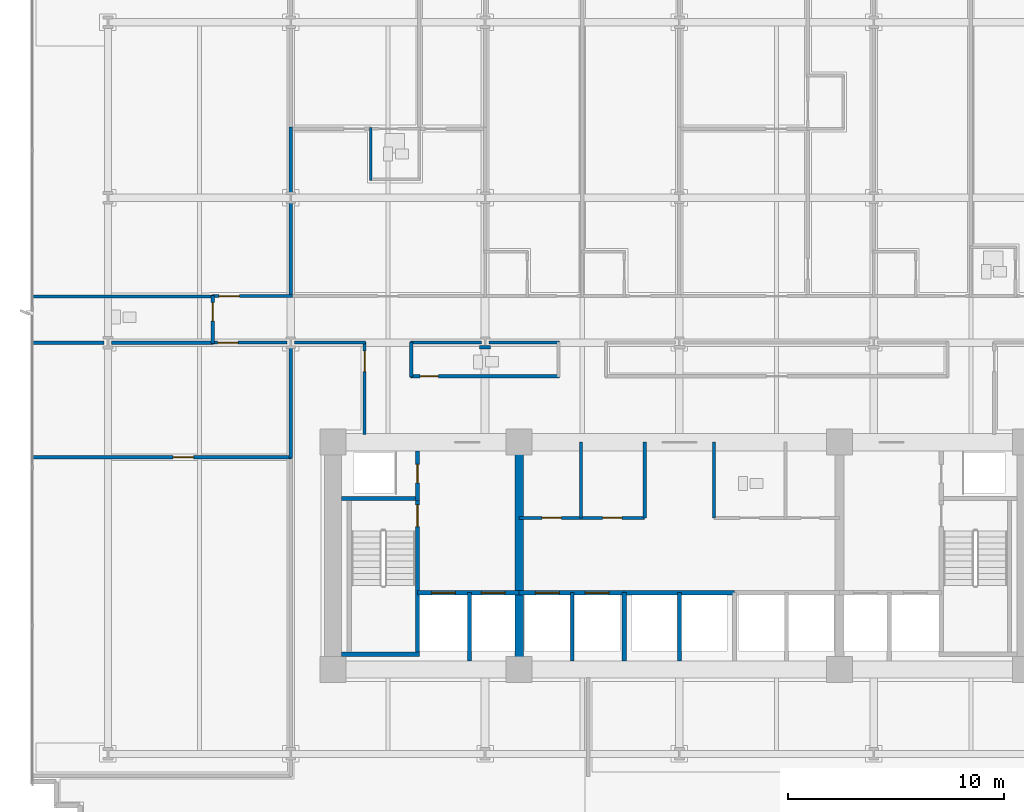
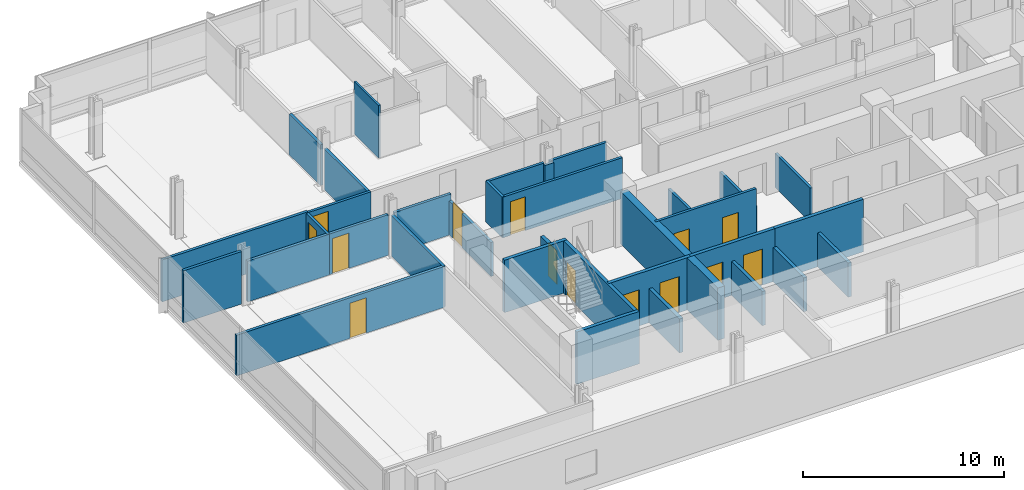
# One storey, part 8 of 15: 34 walls, 14 doors, 14 openings.
"""IFC4 building model written with IfcOpenShell, lengths in metres."""

from ifc_helpers import new_model, si_unit, direction, frame, frame_2d, origin, place, context, subcontext, project, spatial, rectangle, extrude, material, layer, layer_set, type_object, element, fill, save


model = new_model("IFC4")

# Units and contexts
model_context = context("Model", 3, precision=1e-05, world=origin(), true_north=direction((0.0, 1.0)))
body_context = subcontext(model_context, "Body", "Model", "MODEL_VIEW")
ifc_project = project(units=[si_unit("LENGTHUNIT", "METRE"), si_unit("AREAUNIT", "SQUARE_METRE"), si_unit("VOLUMEUNIT", "CUBIC_METRE"), si_unit("PLANEANGLEUNIT", "RADIAN"), si_unit("MASSUNIT", "GRAM", prefix="KILO")], contexts=[model_context])

# Site, building, storey
site_placement = place(None, origin())
site = spatial("IfcSite", under=ifc_project, at=site_placement, CompositionType="ELEMENT")
building_placement = place(site_placement, origin())
building = spatial("IfcBuilding", under=site, at=building_placement, Name="Solmavex Isthmus Hotel", CompositionType="ELEMENT")
storey_placement = place(building_placement, frame((0.0, 0.0, 64.35009765625)))
storey = spatial("IfcBuildingStorey", under=building, at=storey_placement, Name="L17", CompositionType="ELEMENT", Elevation=64.35009765625)

# Walls
ifc_material_1 = material(Name="Gypsum plasterboard lining", Category="gypsum")
ifc_layer_1 = layer(ifc_material_1, 0.159912109375)
ifc_layer_set_1 = layer_set([ifc_layer_1], Name="Gypsum plasterboard lining")
wall_type_1 = type_object("IfcWallType", Name="IW-COMP-160", PredefinedType="PARTITIONING", material=ifc_layer_set_1)
wall_1_placement = place(storey_placement, frame((-17.951904296875, 8.613037109375, 0.0), z_axis=(0.0, 0.0, 1.0), x_axis=(0.0, -1.0, 0.0)))
element("IfcWall", 1, at=wall_1_placement, inside=storey, type_object=wall_type_1, Name="Interior Partition Wall W-L17-P036", PredefinedType="PARTITIONING", context=body_context, shape_type="SweptSolid", body=[
    extrude(rectangle(XDim=4.403076171875, YDim=0.159912109375, at=frame_2d((2.20166015625, 0.0))), origin(), (0.0, 0.0, 1.0), 2.4794921875),
])
wall_2_placement = place(storey_placement, frame((-17.951904296875, 12.070068359375, 0.0), z_axis=(0.0, 0.0, 1.0), x_axis=(0.0, -1.0, 0.0)))
element("IfcWall", 2, at=wall_2_placement, inside=storey, type_object=wall_type_1, Name="Interior Partition Wall W-L17-P037", PredefinedType="PARTITIONING", context=body_context, shape_type="SweptSolid", body=[
    extrude(rectangle(XDim=3.107177734375, YDim=0.159912109375, at=frame_2d((1.5537109375, 0.0))), origin(), (0.0, 0.0, 1.0), 2.4794921875),
])
wall_3_placement = place(storey_placement, frame((-21.511962890625, 4.22998046875, 0.0), z_axis=(0.0, 0.0, 1.0), x_axis=(-1.0, 0.0, 0.0)))
element("IfcWall", 3, at=wall_3_placement, inside=storey, type_object=wall_type_1, Name="Interior Partition Wall W-L17-P040", PredefinedType="PARTITIONING", context=body_context, shape_type="SweptSolid", body=[
    extrude(rectangle(XDim=8.407958984375, YDim=0.159912109375, at=frame_2d((4.2041015625, 0.0))), origin(), (0.0, 0.0, 1.0), 2.55322265625),
])
wall_4_placement = place(storey_placement, frame((-26.574951171875, 2.10009765625, 0.0), z_axis=(0.0, 0.0, 1.0), x_axis=(-1.0, 0.0, 0.0)))
element("IfcWall", 4, at=wall_4_placement, inside=storey, type_object=wall_type_1, Name="Interior Partition Wall W-L17-P084", PredefinedType="PARTITIONING", context=body_context, shape_type="SweptSolid", body=[
    extrude(rectangle(XDim=3.344970703125, YDim=0.159912109375, at=frame_2d((1.67236328125, 0.0))), origin(), (0.0, 0.0, 1.0), 3.18994140625),
])
wall_5_placement = place(storey_placement, frame((-21.511962890625, 2.10009765625, 0.0), z_axis=(0.0, 0.0, 1.0), x_axis=(-1.0, 0.0, 0.0)))
element("IfcWall", 5, at=wall_5_placement, inside=storey, type_object=wall_type_1, Name="Interior Partition Wall W-L17-P085", PredefinedType="PARTITIONING", context=body_context, shape_type="SweptSolid", body=[
    extrude(rectangle(XDim=4.713134765625, YDim=0.159912109375, at=frame_2d((2.3564453125, 0.0))), origin(), (0.0, 0.0, 1.0), 2.4794921875),
])
wall_6_placement = place(storey_placement, frame((-17.951904296875, 1.925048828125, 0.0), z_axis=(0.0, 0.0, 1.0), x_axis=(0.0, -1.0, 0.0)))
element("IfcWall", 6, at=wall_6_placement, inside=storey, type_object=wall_type_1, Name="Interior Partition Wall W-L17-P088", PredefinedType="PARTITIONING", context=body_context, shape_type="SweptSolid", body=[
    extrude(rectangle(XDim=5.1650390625, YDim=0.159912109375, at=frame_2d((2.58251953125, 0.0))), origin(), (0.0, 0.0, 1.0), 2.4794921875),
])

# Wall, opening, door
wall_7_placement = place(storey_placement, frame((-17.912109375, -3.199951171875, 0.0), z_axis=(0.0, 0.0, 1.0), x_axis=(-1.0, 0.0, 0.0)))
wall_7 = element("IfcWall", 7, at=wall_7_placement, inside=storey, type_object=wall_type_1, Name="Interior Partition Wall W-L17-P089", PredefinedType="PARTITIONING", context=body_context, shape_type="SweptSolid", body=[
    extrude(rectangle(XDim=12.0078125, YDim=0.159912109375, at=frame_2d((6.00390625, 0.0))), origin(), (0.0, 0.0, 1.0), 2.4794921875),
])
opening_1_placement = place(wall_7_placement, frame((4.527099609375, 0.0, 0.0)))
opening_1 = element("IfcOpeningElement", 8, at=opening_1_placement, cuts=wall_7, Name="Opening ID-C095", PredefinedType="OPENING", context=body_context, shape_type="SweptSolid", body=[
    extrude(rectangle(XDim=0.949951171875, YDim=2.14990234375, at=frame_2d((0.47509765625, 1.074951171875))), frame((0.0, 0.08984375, 0.0), z_axis=(0.0, -1.0, 0.0), x_axis=(1.0, 0.0, 0.0)), (0.0, 0.0, 1.0), 0.179931640625),
])
ifc_material_2 = material(Name="Hardwood timber", Category="wood")
door_type_1 = type_object("IfcDoorType", Name="IDR-FD60-0950", OperationType="NOTDEFINED", PredefinedType="DOOR", material=ifc_material_2)
door_1_placement = place(opening_1_placement, origin())
door_1 = element("IfcDoor", 9, at=door_1_placement, inside=storey, type_object=door_type_1, Name="Corporate Briefing Office Door L17-27", OperationType="SINGLE_SWING_LEFT", OverallHeight=2.14990234375, OverallWidth=0.949951171875, PredefinedType="DOOR", context=body_context, shape_type="SweptSolid", body=[
    extrude(rectangle(XDim=0.949951171875, YDim=2.14990234375, at=frame_2d((0.47509765625, 1.074951171875))), frame((0.0, 0.02490234375, 0.0), z_axis=(0.0, -1.0, 0.0), x_axis=(1.0, 0.0, 0.0)), (0.0, 0.0, 1.0), 0.050048828125),
])
fill(opening_1, door_1)

# Wall, openings, doors
ifc_layer_2 = layer(ifc_material_1, 0.14990234375)
ifc_layer_set_2 = layer_set([ifc_layer_2], Name="Gypsum plasterboard lining")
wall_type_2 = type_object("IfcWallType", Name="IW-CORR-150", PredefinedType="PARTITIONING", material=ifc_layer_set_2)
wall_8_placement = place(storey_placement, frame((-7.39990234375, -6.0, 0.0), z_axis=(0.0, 0.0, 1.0), x_axis=(1.0, 0.0, 0.0)))
wall_8 = element("IfcWall", 10, at=wall_8_placement, inside=storey, type_object=wall_type_2, Name="Interior Partition Wall W-L17-BOH-WS", PredefinedType="PARTITIONING", context=body_context, shape_type="SweptSolid", body=[
    extrude(rectangle(XDim=5.7998046875, YDim=0.14990234375, at=frame_2d((2.89990234375, 0.0))), origin(), (0.0, 0.0, 1.0), 3.18994140625),
])
opening_2_placement = place(wall_8_placement, frame((1.050048828125, 0.0, 0.0)))
opening_2 = element("IfcOpeningElement", 11, at=opening_2_placement, cuts=wall_8, Name="Opening ID-C090", PredefinedType="OPENING", context=body_context, shape_type="SweptSolid", body=[
    extrude(rectangle(XDim=0.89990234375, YDim=2.10009765625, at=frame_2d((0.449951171875, 1.050048828125))), frame((0.0, 0.0849609375, 0.0), z_axis=(0.0, -1.0, 0.0), x_axis=(1.0, 0.0, 0.0)), (0.0, 0.0, 1.0), 0.169921875),
])
opening_3_placement = place(wall_8_placement, frame((3.85009765625, 0.0, 0.0)))
opening_3 = element("IfcOpeningElement", 12, at=opening_3_placement, cuts=wall_8, Name="Opening ID-C090", PredefinedType="OPENING", context=body_context, shape_type="SweptSolid", body=[
    extrude(rectangle(XDim=0.89990234375, YDim=2.10009765625, at=frame_2d((0.449951171875, 1.050048828125))), frame((0.0, 0.0849609375, 0.0), z_axis=(0.0, -1.0, 0.0), x_axis=(1.0, 0.0, 0.0)), (0.0, 0.0, 1.0), 0.169921875),
])
door_type_2 = type_object("IfcDoorType", Name="IDR-FD60-0900", OperationType="NOTDEFINED", PredefinedType="DOOR", material=ifc_material_2)
door_2_placement = place(opening_2_placement, frame((0.89990234375, 0.0, 0.0), z_axis=(0.0, 0.0, 1.0), x_axis=(-1.0, 0.0, 0.0)))
door_2 = element("IfcDoor", 13, at=door_2_placement, inside=storey, type_object=door_type_2, Name="Linen Room Door L17", OperationType="SINGLE_SWING_LEFT", OverallHeight=2.10009765625, OverallWidth=0.89990234375, PredefinedType="DOOR", context=body_context, shape_type="SweptSolid", body=[
    extrude(rectangle(XDim=0.89990234375, YDim=2.10009765625, at=frame_2d((0.449951171875, 1.050048828125))), frame((0.0, 0.02490234375, 0.0), z_axis=(0.0, -1.0, 0.0), x_axis=(1.0, 0.0, 0.0)), (0.0, 0.0, 1.0), 0.050048828125),
])
fill(opening_2, door_2)
door_3_placement = place(opening_3_placement, frame((0.89990234375, 0.0, 0.0), z_axis=(0.0, 0.0, 1.0), x_axis=(-1.0, 0.0, 0.0)))
door_3 = element("IfcDoor", 14, at=door_3_placement, inside=storey, type_object=door_type_2, Name="Ice Pantry Door L17", OperationType="SINGLE_SWING_RIGHT", OverallHeight=2.10009765625, OverallWidth=0.89990234375, PredefinedType="DOOR", context=body_context, shape_type="SweptSolid", body=[
    extrude(rectangle(XDim=0.89990234375, YDim=2.10009765625, at=frame_2d((0.449951171875, 1.050048828125))), frame((0.0, 0.02490234375, 0.0), z_axis=(0.0, -1.0, 0.0), x_axis=(1.0, 0.0, 0.0)), (0.0, 0.0, 1.0), 0.050048828125),
])
fill(opening_3, door_3)

# Walls
for number, where, z_axis, x_axis, name in (
    (15, (-1.60009765625, -6.0, 0.0), (0.0, 0.0, 1.0), (0.0, 1.0, 0.0), "Interior Partition Wall W-L17-BOH-WE"),
    (16, (1.60009765625, -6.0, 0.0), (0.0, 0.0, 1.0), (0.0, 1.0, 0.0), "Interior Partition Wall W-L17-BOH-EW"),
):
    element("IfcWall", number, at=place(storey_placement, frame(where, z_axis=z_axis, x_axis=x_axis)), inside=storey, type_object=wall_type_2, Name=name, PredefinedType="PARTITIONING", context=body_context, shape_type="SweptSolid", body=[
        extrude(rectangle(XDim=3.5, YDim=0.14990234375, at=frame_2d((1.75, 0.0))), origin(), (0.0, 0.0, 1.0), 2.074951171875),
    ])

# Wall, opening, door
wall_9_placement = place(storey_placement, frame((-21.592041015625, 4.25, 0.0), z_axis=(0.0, 0.0, 1.0), x_axis=(1.0, 0.0, 0.0)))
wall_9 = element("IfcWall", 17, at=wall_9_placement, inside=storey, type_object=wall_type_2, Name="Interior Partition Wall W-L17-P001", PredefinedType="PARTITIONING", context=body_context, shape_type="SweptSolid", body=[
    extrude(rectangle(XDim=3.721923828125, YDim=0.14990234375, at=frame_2d((1.86083984375, 0.0))), origin(), (0.0, 0.0, 1.0), 2.4794921875),
])
opening_4_placement = place(wall_9_placement, frame((0.315185546875, 0.0, 0.0)))
opening_4 = element("IfcOpeningElement", 18, at=opening_4_placement, cuts=wall_9, Name="Opening ID-C095", PredefinedType="OPENING", context=body_context, shape_type="SweptSolid", body=[
    extrude(rectangle(XDim=0.949951171875, YDim=2.14990234375, at=frame_2d((0.47509765625, 1.074951171875))), frame((0.0, 0.0849609375, 0.0), z_axis=(0.0, -1.0, 0.0), x_axis=(1.0, 0.0, 0.0)), (0.0, 0.0, 1.0), 0.169921875),
])
door_4_placement = place(opening_4_placement, origin())
door_4 = element("IfcDoor", 19, at=door_4_placement, inside=storey, type_object=door_type_1, Name="Corporate Briefing Office Door L17-01", OperationType="SINGLE_SWING_LEFT", OverallHeight=2.14990234375, OverallWidth=0.949951171875, PredefinedType="DOOR", context=body_context, shape_type="SweptSolid", body=[
    extrude(rectangle(XDim=0.949951171875, YDim=2.14990234375, at=frame_2d((0.47509765625, 1.074951171875))), frame((0.0, 0.02490234375, 0.0), z_axis=(0.0, -1.0, 0.0), x_axis=(1.0, 0.0, 0.0)), (0.0, 0.0, 1.0), 0.050048828125),
])
fill(opening_4, door_4)

# Walls
wall_10_placement = place(storey_placement, frame((-8.720947265625, 1.885009765625, 0.0), z_axis=(0.0, 0.0, 1.0), x_axis=(-1.0, 0.0, 0.0)))
element("IfcWall", 20, at=wall_10_placement, inside=storey, type_object=wall_type_2, Name="Interior Partition Wall W-L17-P014", PredefinedType="PARTITIONING", context=body_context, shape_type="SweptSolid", body=[
    extrude(rectangle(XDim=0.510009765625, YDim=0.14990234375, at=frame_2d((0.2548828125, 0.0))), origin(), (0.0, 0.0, 1.0), 2.4794921875),
])
wall_11_placement = place(storey_placement, frame((-9.15087890625, 2.10009765625, 0.0), z_axis=(0.0, 0.0, 1.0), x_axis=(-1.0, 0.0, 0.0)))
element("IfcWall", 21, at=wall_11_placement, inside=storey, type_object=wall_type_2, Name="Interior Partition Wall W-L17-P015", PredefinedType="PARTITIONING", context=body_context, shape_type="SweptSolid", body=[
    extrude(rectangle(XDim=3.273193359375, YDim=0.14990234375, at=frame_2d((1.63671875, 0.0))), origin(), (0.0, 0.0, 1.0), 2.4794921875),
])
wall_12_placement = place(storey_placement, frame((-12.384033203125, 2.139892578125, 0.0), z_axis=(0.0, 0.0, 1.0), x_axis=(0.0, -1.0, 0.0)))
element("IfcWall", 22, at=wall_12_placement, inside=storey, type_object=wall_type_2, Name="Interior Partition Wall W-L17-P016", PredefinedType="PARTITIONING", context=body_context, shape_type="SweptSolid", body=[
    extrude(rectangle(XDim=1.6298828125, YDim=0.14990234375, at=frame_2d((0.81494140625, 0.0))), origin(), (0.0, 0.0, 1.0), 2.4794921875),
])

# Wall, opening, door
wall_13_placement = place(storey_placement, frame((-12.424072265625, 0.550048828125, 0.0), z_axis=(0.0, 0.0, 1.0), x_axis=(1.0, 0.0, 0.0)))
wall_13 = element("IfcWall", 23, at=wall_13_placement, inside=storey, type_object=wall_type_2, Name="Interior Partition Wall W-L17-P017", PredefinedType="PARTITIONING", context=body_context, shape_type="SweptSolid", body=[
    extrude(rectangle(XDim=6.8759765625, YDim=0.14990234375, at=frame_2d((3.43798828125, 0.0))), origin(), (0.0, 0.0, 1.0), 2.4794921875),
])
opening_5_placement = place(wall_13_placement, frame((0.444091796875, 0.0, 0.0)))
opening_5 = element("IfcOpeningElement", 24, at=opening_5_placement, cuts=wall_13, Name="Opening ID-R085", PredefinedType="OPENING", context=body_context, shape_type="SweptSolid", body=[
    extrude(rectangle(XDim=0.85009765625, YDim=2.050048828125, at=frame_2d((0.425048828125, 1.02490234375))), frame((0.0, 0.0849609375, 0.0), z_axis=(0.0, -1.0, 0.0), x_axis=(1.0, 0.0, 0.0)), (0.0, 0.0, 1.0), 0.169921875),
])
ifc_material_3 = material(Name="Steel ASTM A500 Grade C", Category="steel")
door_type_3 = type_object("IfcDoorType", Name="IDR-FD60-0850", OperationType="NOTDEFINED", PredefinedType="DOOR", material=ifc_material_3)
door_5_placement = place(opening_5_placement, frame((0.85009765625, 0.0, 0.0), z_axis=(0.0, 0.0, 1.0), x_axis=(-1.0, 0.0, 0.0)))
door_5 = element("IfcDoor", 25, at=door_5_placement, inside=storey, type_object=door_type_3, Name="Accessible Public Restroom WC Door L17-19", OperationType="SINGLE_SWING_LEFT", OverallHeight=2.050048828125, OverallWidth=0.85009765625, PredefinedType="DOOR", context=body_context, shape_type="SweptSolid", body=[
    extrude(rectangle(XDim=0.85009765625, YDim=2.050048828125, at=frame_2d((0.425048828125, 1.02490234375))), frame((0.0, 0.02490234375, 0.0), z_axis=(0.0, -1.0, 0.0), x_axis=(1.0, 0.0, 0.0)), (0.0, 0.0, 1.0), 0.050048828125),
])
fill(opening_5, door_5)

# Wall
wall_14_placement = place(storey_placement, frame((-5.548095703125, 2.10009765625, 0.0), z_axis=(0.0, 0.0, 1.0), x_axis=(-1.0, 0.0, 0.0)))
element("IfcWall", 26, at=wall_14_placement, inside=storey, type_object=wall_type_2, Name="Interior Partition Wall W-L17-P019", PredefinedType="PARTITIONING", context=body_context, shape_type="SweptSolid", body=[
    extrude(rectangle(XDim=3.2529296875, YDim=0.14990234375, at=frame_2d((1.62646484375, 0.0))), origin(), (0.0, 0.0, 1.0), 2.4794921875),
])

# Wall, opening, door
wall_15_placement = place(storey_placement, frame((-21.552001953125, 2.06005859375, 0.0), z_axis=(0.0, 0.0, 1.0), x_axis=(0.0, 1.0, 0.0)))
wall_15 = element("IfcWall", 27, at=wall_15_placement, inside=storey, type_object=wall_type_2, Name="Interior Partition Wall W-L17-P020", PredefinedType="PARTITIONING", context=body_context, shape_type="SweptSolid", body=[
    extrude(rectangle(XDim=2.2099609375, YDim=0.14990234375, at=frame_2d((1.10498046875, 0.0))), origin(), (0.0, 0.0, 1.0), 2.4794921875),
])
opening_6_placement = place(wall_15_placement, frame((1.037841796875, 0.0, 0.0)))
opening_6 = element("IfcOpeningElement", 28, at=opening_6_placement, cuts=wall_15, Name="Opening ID-R085", PredefinedType="OPENING", context=body_context, shape_type="SweptSolid", body=[
    extrude(rectangle(XDim=0.85009765625, YDim=2.050048828125, at=frame_2d((0.425048828125, 1.02490234375))), frame((0.0, 0.0849609375, 0.0), z_axis=(0.0, -1.0, 0.0), x_axis=(1.0, 0.0, 0.0)), (0.0, 0.0, 1.0), 0.169921875),
])
door_6_placement = place(opening_6_placement, origin())
door_6 = element("IfcDoor", 29, at=door_6_placement, inside=storey, type_object=door_type_3, Name="Public Restroom WC Door L17-20", OperationType="SINGLE_SWING_RIGHT", OverallHeight=2.050048828125, OverallWidth=0.85009765625, PredefinedType="DOOR", context=body_context, shape_type="SweptSolid", body=[
    extrude(rectangle(XDim=0.85009765625, YDim=2.050048828125, at=frame_2d((0.425048828125, 1.02490234375))), frame((0.0, 0.02490234375, 0.0), z_axis=(0.0, -1.0, 0.0), x_axis=(1.0, 0.0, 0.0)), (0.0, 0.0, 1.0), 0.050048828125),
])
fill(opening_6, door_6)

wall_16_placement = place(storey_placement, frame((-18.126953125, 2.10009765625, 0.0), z_axis=(0.0, 0.0, 1.0), x_axis=(-1.0, 0.0, 0.0)))
wall_16 = element("IfcWall", 30, at=wall_16_placement, inside=storey, type_object=wall_type_2, Name="Interior Partition Wall W-L17-P030", PredefinedType="PARTITIONING", context=body_context, shape_type="SweptSolid", body=[
    extrude(rectangle(XDim=3.465087890625, YDim=0.14990234375, at=frame_2d((1.732421875, 0.0))), origin(), (0.0, 0.0, 1.0), 2.4794921875),
])
opening_7_placement = place(wall_16_placement, frame((2.252685546875, 0.0, 0.0)))
opening_7 = element("IfcOpeningElement", 31, at=opening_7_placement, cuts=wall_16, Name="Opening ID-C095", PredefinedType="OPENING", context=body_context, shape_type="SweptSolid", body=[
    extrude(rectangle(XDim=0.949951171875, YDim=2.14990234375, at=frame_2d((0.47509765625, 1.074951171875))), frame((0.0, 0.0849609375, 0.0), z_axis=(0.0, -1.0, 0.0), x_axis=(1.0, 0.0, 0.0)), (0.0, 0.0, 1.0), 0.169921875),
])
door_7_placement = place(opening_7_placement, origin())
door_7 = element("IfcDoor", 32, at=door_7_placement, inside=storey, type_object=door_type_1, Name="Yoga Fitness Studio Door L17-23", OperationType="SINGLE_SWING_LEFT", OverallHeight=2.14990234375, OverallWidth=0.949951171875, PredefinedType="DOOR", context=body_context, shape_type="SweptSolid", body=[
    extrude(rectangle(XDim=0.949951171875, YDim=2.14990234375, at=frame_2d((0.47509765625, 1.074951171875))), frame((0.0, 0.02490234375, 0.0), z_axis=(0.0, -1.0, 0.0), x_axis=(1.0, 0.0, 0.0)), (0.0, 0.0, 1.0), 0.050048828125),
])
fill(opening_7, door_7)

wall_17_placement = place(storey_placement, frame((-14.5439453125, -2.139892578125, 0.0), z_axis=(0.0, 0.0, 1.0), x_axis=(0.0, 1.0, 0.0)))
wall_17 = element("IfcWall", 33, at=wall_17_placement, inside=storey, type_object=wall_type_2, Name="Interior Partition Wall W-L17-P034", PredefinedType="PARTITIONING", context=body_context, shape_type="SweptSolid", body=[
    extrude(rectangle(XDim=4.27978515625, YDim=0.14990234375, at=frame_2d((2.139892578125, 0.0))), origin(), (0.0, 0.0, 1.0), 2.074951171875),
])
opening_8_placement = place(wall_17_placement, frame((2.89990234375, 0.0, 0.0)))
opening_8 = element("IfcOpeningElement", 34, at=opening_8_placement, cuts=wall_17, Name="Opening ID-C095", PredefinedType="OPENING", context=body_context, shape_type="SweptSolid", body=[
    extrude(rectangle(XDim=0.949951171875, YDim=2.14990234375, at=frame_2d((0.47509765625, 1.074951171875))), frame((0.0, 0.0849609375, 0.0), z_axis=(0.0, -1.0, 0.0), x_axis=(1.0, 0.0, 0.0)), (0.0, 0.0, 1.0), 0.169921875),
])
door_8_placement = place(opening_8_placement, frame((0.949951171875, 0.0, 0.0), z_axis=(0.0, 0.0, 1.0), x_axis=(-1.0, 0.0, 0.0)))
door_8 = element("IfcDoor", 35, at=door_8_placement, inside=storey, type_object=door_type_1, Name="Corporate Briefing Office Door L17-26", OperationType="SINGLE_SWING_RIGHT", OverallHeight=2.14990234375, OverallWidth=0.949951171875, PredefinedType="DOOR", context=body_context, shape_type="SweptSolid", body=[
    extrude(rectangle(XDim=0.949951171875, YDim=2.14990234375, at=frame_2d((0.47509765625, 1.074951171875))), frame((0.0, 0.02490234375, 0.0), z_axis=(0.0, -1.0, 0.0), x_axis=(1.0, 0.0, 0.0)), (0.0, 0.0, 1.0), 0.050048828125),
])
fill(opening_8, door_8)

# Walls
wall_18_placement = place(storey_placement, frame((-14.50390625, 2.10009765625, 0.0), z_axis=(0.0, 0.0, 1.0), x_axis=(-1.0, 0.0, 0.0)))
element("IfcWall", 36, at=wall_18_placement, inside=storey, type_object=wall_type_2, Name="Interior Partition Wall W-L17-P035", PredefinedType="PARTITIONING", context=body_context, shape_type="SweptSolid", body=[
    extrude(rectangle(XDim=3.273193359375, YDim=0.14990234375, at=frame_2d((1.63671875, 0.0))), origin(), (0.0, 0.0, 1.0), 2.4794921875),
])
ifc_layer_3 = layer(ifc_material_1, 0.1201171875)
ifc_layer_set_3 = layer_set([ifc_layer_3], Name="Gypsum plasterboard lining")
wall_type_3 = type_object("IfcWallType", Name="IW-PART-120", PredefinedType="PARTITIONING", material=ifc_layer_set_3)
wall_19_placement = place(storey_placement, frame((-4.550048828125, -6.0, 0.0), z_axis=(0.0, 0.0, 1.0), x_axis=(0.0, 1.0, 0.0)))
element("IfcWall", 37, at=wall_19_placement, inside=storey, type_object=wall_type_3, Name="Interior Partition Wall W-L17-BOH-WM2", PredefinedType="PARTITIONING", context=body_context, shape_type="SweptSolid", body=[
    extrude(rectangle(XDim=3.5, YDim=0.14990234375, at=frame_2d((1.75, 0.0))), origin(), (0.0, 0.0, 1.0), 2.074951171875),
])
wall_20_placement = place(storey_placement, frame((-14.263916015625, 12.028076171875, 0.0), z_axis=(0.0, 0.0, 1.0), x_axis=(0.0, -1.0, 0.0)))
element("IfcWall", 38, at=wall_20_placement, inside=storey, type_object=wall_type_3, Name="Interior Partition Wall W-L17-P043", PredefinedType="PARTITIONING", context=body_context, shape_type="SweptSolid", body=[
    extrude(rectangle(XDim=2.43017578125, YDim=0.1201171875, at=frame_2d((1.215087890625, 0.0))), origin(), (0.0, 0.0, 1.0), 3.18994140625),
])
ifc_material_4 = material(Name="Concrete C40/50", Category="concrete")
ifc_layer_4 = layer(ifc_material_4, 0.179931640625)
ifc_layer_set_4 = layer_set([ifc_layer_4], Name="Concrete C40/50")
wall_type_4 = type_object("IfcWallType", Name="IW-SHAFT-180", PredefinedType="PARTITIONING", material=ifc_layer_set_4)
for number, where, z_axis, x_axis, name in (
    (39, (-4.949951171875, -12.60009765625, 0.0), (0.0, 0.0, 1.0), (0.0, 1.0, 0.0), "Interior Partition Wall W-L17-SH-PLL-M"),
    (40, (0.0, -12.60009765625, 0.0), (0.0, 0.0, 1.0), (0.0, 1.0, 0.0), "Interior Partition Wall W-L17-SH-PLM-M"),
):
    element("IfcWall", number, at=place(storey_placement, frame(where, z_axis=z_axis, x_axis=x_axis)), inside=storey, type_object=wall_type_4, Name=name, PredefinedType="PARTITIONING", context=body_context, shape_type="SweptSolid", body=[
        extrude(rectangle(XDim=3.150146484375, YDim=0.179931640625, at=frame_2d((1.5751953125, 0.0))), origin(), (0.0, 0.0, 1.0), 2.074951171875),
    ])

# Wall, opening, door
ifc_layer_5 = layer(ifc_material_4, 0.199951171875)
ifc_layer_set_5 = layer_set([ifc_layer_5], Name="Concrete C40/50")
wall_type_5 = type_object("IfcWallType", Name="IW-SHAFT-200", PredefinedType="PARTITIONING", material=ifc_layer_set_5)
wall_21_placement = place(storey_placement, frame((-12.10009765625, -5.199951171875, 0.0), z_axis=(0.0, 0.0, 1.0), x_axis=(0.0, 1.0, 0.0)))
wall_21 = element("IfcWall", 41, at=wall_21_placement, inside=storey, type_object=wall_type_5, Name="Interior Partition Wall W-L17-RSW-E", PredefinedType="PARTITIONING", context=body_context, shape_type="SweptSolid", body=[
    extrude(rectangle(XDim=2.300048828125, YDim=0.199951171875, at=frame_2d((1.14990234375, 0.0))), origin(), (0.0, 0.0, 1.0), 2.074951171875),
])
opening_9_placement = place(wall_21_placement, frame((0.824951171875, 0.0, 0.0)))
opening_9 = element("IfcOpeningElement", 42, at=opening_9_placement, cuts=wall_21, Name="Opening ID-R085", PredefinedType="OPENING", context=body_context, shape_type="SweptSolid", body=[
    extrude(rectangle(XDim=0.85009765625, YDim=2.050048828125, at=frame_2d((0.425048828125, 1.02490234375))), frame((0.0, 0.10986328125, 0.0), z_axis=(0.0, -1.0, 0.0), x_axis=(1.0, 0.0, 0.0)), (0.0, 0.0, 1.0), 0.219970703125),
])
door_9_placement = place(opening_9_placement, origin())
door_9 = element("IfcDoor", 43, at=door_9_placement, inside=storey, type_object=door_type_3, Name="Electrical Riser Door L17", OperationType="SINGLE_SWING_RIGHT", OverallHeight=2.050048828125, OverallWidth=0.85009765625, PredefinedType="DOOR", context=body_context, shape_type="SweptSolid", body=[
    extrude(rectangle(XDim=0.85009765625, YDim=2.050048828125, at=frame_2d((0.425048828125, 1.02490234375))), frame((0.0, 0.02490234375, 0.0), z_axis=(0.0, -1.0, 0.0), x_axis=(1.0, 0.0, 0.0)), (0.0, 0.0, 1.0), 0.050048828125),
])
fill(opening_9, door_9)

# Wall, openings, doors
wall_22_placement = place(storey_placement, frame((-12.10009765625, -9.449951171875, 0.0), z_axis=(0.0, 0.0, 1.0), x_axis=(1.0, 0.0, 0.0)))
wall_22 = element("IfcWall", 44, at=wall_22_placement, inside=storey, type_object=wall_type_5, Name="Interior Partition Wall W-L17-FFLW-S", PredefinedType="PARTITIONING", context=body_context, shape_type="SweptSolid", body=[
    extrude(rectangle(XDim=4.7001953125, YDim=0.199951171875, at=frame_2d((2.35009765625, 0.0))), origin(), (0.0, 0.0, 1.0), 3.18994140625),
])
opening_10_placement = place(wall_22_placement, frame((0.64990234375, 0.0, 0.0)))
opening_10 = element("IfcOpeningElement", 45, at=opening_10_placement, cuts=wall_22, Name="Opening LD-FF", PredefinedType="OPENING", context=body_context, shape_type="SweptSolid", body=[
    extrude(rectangle(XDim=1.10009765625, YDim=2.199951171875, at=frame_2d((0.550048828125, 1.10009765625))), frame((0.0, 0.10986328125, 0.0), z_axis=(0.0, -1.0, 0.0), x_axis=(1.0, 0.0, 0.0)), (0.0, 0.0, 1.0), 0.219970703125),
])
opening_11_placement = place(wall_22_placement, frame((2.949951171875, 0.0, 0.0)))
opening_11 = element("IfcOpeningElement", 46, at=opening_11_placement, cuts=wall_22, Name="Opening LD-SV", PredefinedType="OPENING", context=body_context, shape_type="SweptSolid", body=[
    extrude(rectangle(XDim=1.10009765625, YDim=2.199951171875, at=frame_2d((0.550048828125, 1.10009765625))), frame((0.0, 0.10986328125, 0.0), z_axis=(0.0, -1.0, 0.0), x_axis=(1.0, 0.0, 0.0)), (0.0, 0.0, 1.0), 0.219970703125),
])
ifc_material_5 = material(Name="Stainless steel 316", Category="steel")
door_type_4 = type_object("IfcDoorType", Name="LDR-FF-1100", OperationType="NOTDEFINED", PredefinedType="DOOR", material=ifc_material_5)
door_10_placement = place(opening_10_placement, origin())
door_10 = element("IfcDoor", 47, at=door_10_placement, inside=storey, type_object=door_type_4, Name="Lift Landing Door FFL-1 L17", OperationType="SLIDING_TO_LEFT", OverallHeight=2.199951171875, OverallWidth=1.10009765625, PredefinedType="DOOR", context=body_context, shape_type="SweptSolid", body=[
    extrude(rectangle(XDim=1.10009765625, YDim=2.199951171875, at=frame_2d((0.550048828125, 1.10009765625))), frame((0.0, 0.02490234375, 0.0), z_axis=(0.0, -1.0, 0.0), x_axis=(1.0, 0.0, 0.0)), (0.0, 0.0, 1.0), 0.050048828125),
])
fill(opening_10, door_10)
door_type_5 = type_object("IfcDoorType", Name="LDR-SV-1100", OperationType="NOTDEFINED", PredefinedType="DOOR", material=ifc_material_5)
door_11_placement = place(opening_11_placement, origin())
door_11 = element("IfcDoor", 48, at=door_11_placement, inside=storey, type_object=door_type_5, Name="Lift Landing Door SVL-1 L17", OperationType="SLIDING_TO_RIGHT", OverallHeight=2.199951171875, OverallWidth=1.10009765625, PredefinedType="DOOR", context=body_context, shape_type="SweptSolid", body=[
    extrude(rectangle(XDim=1.10009765625, YDim=2.199951171875, at=frame_2d((0.550048828125, 1.10009765625))), frame((0.0, 0.02490234375, 0.0), z_axis=(0.0, -1.0, 0.0), x_axis=(1.0, 0.0, 0.0)), (0.0, 0.0, 1.0), 0.050048828125),
])
fill(opening_11, door_11)

# Wall
wall_23_placement = place(storey_placement, frame((-9.699951171875, -12.60009765625, 0.0), z_axis=(0.0, 0.0, 1.0), x_axis=(0.0, 1.0, 0.0)))
element("IfcWall", 49, at=wall_23_placement, inside=storey, type_object=wall_type_5, Name="Interior Partition Wall W-L17-FFLW-M", PredefinedType="PARTITIONING", context=body_context, shape_type="SweptSolid", body=[
    extrude(rectangle(XDim=3.150146484375, YDim=0.199951171875, at=frame_2d((1.5751953125, 0.0))), origin(), (0.0, 0.0, 1.0), 2.074951171875),
])

# Wall, openings, doors
wall_24_placement = place(storey_placement, frame((-7.39990234375, -9.449951171875, 0.0), z_axis=(0.0, 0.0, 1.0), x_axis=(1.0, 0.0, 0.0)))
wall_24 = element("IfcWall", 50, at=wall_24_placement, inside=storey, type_object=wall_type_5, Name="Interior Partition Wall W-L17-SH-PLL", PredefinedType="PARTITIONING", context=body_context, shape_type="SweptSolid", body=[
    extrude(rectangle(XDim=4.849853515625, YDim=0.199951171875, at=frame_2d((2.4248046875, 0.0))), origin(), (0.0, 0.0, 1.0), 3.18994140625),
])
opening_12_placement = place(wall_24_placement, frame((0.75, 0.0, 0.0)))
opening_12 = element("IfcOpeningElement", 51, at=opening_12_placement, cuts=wall_24, Name="Opening LD-PL", PredefinedType="OPENING", context=body_context, shape_type="SweptSolid", body=[
    extrude(rectangle(XDim=1.10009765625, YDim=2.199951171875, at=frame_2d((0.550048828125, 1.10009765625))), frame((0.0, 0.10986328125, 0.0), z_axis=(0.0, -1.0, 0.0), x_axis=(1.0, 0.0, 0.0)), (0.0, 0.0, 1.0), 0.219970703125),
])
opening_13_placement = place(wall_24_placement, frame((3.050048828125, 0.0, 0.0)))
opening_13 = element("IfcOpeningElement", 52, at=opening_13_placement, cuts=wall_24, Name="Opening LD-PL", PredefinedType="OPENING", context=body_context, shape_type="SweptSolid", body=[
    extrude(rectangle(XDim=1.10009765625, YDim=2.199951171875, at=frame_2d((0.550048828125, 1.10009765625))), frame((0.0, 0.10986328125, 0.0), z_axis=(0.0, -1.0, 0.0), x_axis=(1.0, 0.0, 0.0)), (0.0, 0.0, 1.0), 0.219970703125),
])
door_type_6 = type_object("IfcDoorType", Name="LDR-PL-1100", OperationType="NOTDEFINED", PredefinedType="DOOR", material=ifc_material_5)
door_12_placement = place(opening_12_placement, origin())
door_12 = element("IfcDoor", 53, at=door_12_placement, inside=storey, type_object=door_type_6, Name="Lift Landing Door PLL1 L17", OperationType="SLIDING_TO_LEFT", OverallHeight=2.199951171875, OverallWidth=1.10009765625, PredefinedType="DOOR", context=body_context, shape_type="SweptSolid", body=[
    extrude(rectangle(XDim=1.10009765625, YDim=2.199951171875, at=frame_2d((0.550048828125, 1.10009765625))), frame((0.0, 0.02490234375, 0.0), z_axis=(0.0, -1.0, 0.0), x_axis=(1.0, 0.0, 0.0)), (0.0, 0.0, 1.0), 0.050048828125),
])
fill(opening_12, door_12)
door_13_placement = place(opening_13_placement, origin())
door_13 = element("IfcDoor", 54, at=door_13_placement, inside=storey, type_object=door_type_6, Name="Lift Landing Door PLL2 L17", OperationType="SLIDING_TO_LEFT", OverallHeight=2.199951171875, OverallWidth=1.10009765625, PredefinedType="DOOR", context=body_context, shape_type="SweptSolid", body=[
    extrude(rectangle(XDim=1.10009765625, YDim=2.199951171875, at=frame_2d((0.550048828125, 1.10009765625))), frame((0.0, 0.02490234375, 0.0), z_axis=(0.0, -1.0, 0.0), x_axis=(1.0, 0.0, 0.0)), (0.0, 0.0, 1.0), 0.050048828125),
])
fill(opening_13, door_13)

# Walls
wall_25_placement = place(storey_placement, frame((-2.550048828125, -12.60009765625, 0.0), z_axis=(0.0, 0.0, 1.0), x_axis=(0.0, 1.0, 0.0)))
element("IfcWall", 55, at=wall_25_placement, inside=storey, type_object=wall_type_5, Name="Interior Partition Wall W-L17-SH-PLL-E", PredefinedType="PARTITIONING", context=body_context, shape_type="SweptSolid", body=[
    extrude(rectangle(XDim=3.150146484375, YDim=0.199951171875, at=frame_2d((1.5751953125, 0.0))), origin(), (0.0, 0.0, 1.0), 2.074951171875),
])
wall_26_placement = place(storey_placement, frame((-2.550048828125, -9.449951171875, 0.0), z_axis=(0.0, 0.0, 1.0), x_axis=(1.0, 0.0, 0.0)))
element("IfcWall", 56, at=wall_26_placement, inside=storey, type_object=wall_type_5, Name="Interior Partition Wall W-L17-SH-PLM", PredefinedType="PARTITIONING", context=body_context, shape_type="SweptSolid", body=[
    extrude(rectangle(XDim=5.10009765625, YDim=0.199951171875, at=frame_2d((2.550048828125, 0.0))), origin(), (0.0, 0.0, 1.0), 3.18994140625),
])
ifc_material_6 = material(Name="Concrete C70/85", Category="concrete")
ifc_layer_6 = layer(ifc_material_6, 0.39990234375)
ifc_layer_set_6 = layer_set([ifc_layer_6], Name="Concrete C70/85")
wall_type_6 = type_object("IfcWallType", Name="WALL-CW-400L", PredefinedType="SHEAR", material=ifc_layer_set_6)
wall_27_placement = place(storey_placement, frame((-7.39990234375, -12.60009765625, 0.0), z_axis=(0.0, 0.0, 1.0), x_axis=(0.0, 1.0, 0.0)))
element("IfcWall", 57, at=wall_27_placement, inside=storey, type_object=wall_type_6, Name="Core Cross Shear Wall C1 L17", PredefinedType="SHEAR", context=body_context, shape_type="SweptSolid", body=[
    extrude(rectangle(XDim=9.7001953125, YDim=0.39990234375, at=frame_2d((4.85009765625, 0.0))), origin(), (0.0, 0.0, 1.0), 3.18994140625),
])
ifc_layer_7 = layer(ifc_material_4, 0.199951171875)
ifc_layer_set_7 = layer_set([ifc_layer_7], Name="Concrete C40/50")
wall_type_7 = type_object("IfcWallType", Name="WALL-SW-200", PredefinedType="SOLIDWALL", material=ifc_layer_set_7)
for number, where, z_axis, x_axis, name in (
    (58, (-15.60009765625, -12.300048828125, 0.0), (0.0, 0.0, 1.0), (1.0, 0.0, 0.0), "Stairwell Structural Wall SW-L17-ST1-S"),
    (59, (-15.60009765625, -5.10009765625, 0.0), (0.0, 0.0, 1.0), (1.0, 0.0, 0.0), "Stairwell Structural Wall SW-L17-ST1-N"),
):
    element("IfcWall", number, at=place(storey_placement, frame(where, z_axis=z_axis, x_axis=x_axis)), inside=storey, type_object=wall_type_7, Name=name, PredefinedType="SOLIDWALL", context=body_context, shape_type="SweptSolid", body=[
        extrude(rectangle(XDim=3.60009765625, YDim=0.199951171875, at=frame_2d((1.800048828125, 0.0))), origin(), (0.0, 0.0, 1.0), 3.18994140625),
    ])

# Wall, opening, door
wall_28_placement = place(storey_placement, frame((-12.10009765625, -12.199951171875, 0.0), z_axis=(0.0, 0.0, 1.0), x_axis=(0.0, 1.0, 0.0)))
wall_28 = element("IfcWall", 60, at=wall_28_placement, inside=storey, type_object=wall_type_7, Name="Stairwell Structural Wall SW-L17-ST1-E", PredefinedType="SOLIDWALL", context=body_context, shape_type="SweptSolid", body=[
    extrude(rectangle(XDim=7.0, YDim=0.199951171875, at=frame_2d((3.5, 0.0))), origin(), (0.0, 0.0, 1.0), 3.18994140625),
])
opening_14_placement = place(wall_28_placement, frame((5.800048828125, 0.0, 0.0)))
opening_14 = element("IfcOpeningElement", 61, at=opening_14_placement, cuts=wall_28, Name="Opening ID-F100", PredefinedType="OPENING", context=body_context, shape_type="SweptSolid", body=[
    extrude(rectangle(XDim=1.0, YDim=2.10009765625, at=frame_2d((0.5, 1.050048828125))), frame((0.0, 0.10986328125, 0.0), z_axis=(0.0, -1.0, 0.0), x_axis=(1.0, 0.0, 0.0)), (0.0, 0.0, 1.0), 0.219970703125),
])
door_type_7 = type_object("IfcDoorType", Name="IDR-FD90-1000", OperationType="NOTDEFINED", PredefinedType="DOOR", material=ifc_material_3)
door_14_placement = place(opening_14_placement, frame((1.0, 0.0, 0.0), z_axis=(0.0, 0.0, 1.0), x_axis=(-1.0, 0.0, 0.0)))
door_14 = element("IfcDoor", 62, at=door_14_placement, inside=storey, type_object=door_type_7, Name="Stair ST-1 Fire Door L17", OperationType="SINGLE_SWING_LEFT", OverallHeight=2.10009765625, OverallWidth=1.0, PredefinedType="DOOR", context=body_context, shape_type="SweptSolid", body=[
    extrude(rectangle(XDim=1.0, YDim=2.10009765625, at=frame_2d((0.5, 1.050048828125))), frame((0.0, 0.02490234375, 0.0), z_axis=(0.0, -1.0, 0.0), x_axis=(1.0, 0.0, 0.0)), (0.0, 0.0, 1.0), 0.050048828125),
])
fill(opening_14, door_14)

save(model, "model.ifc")
